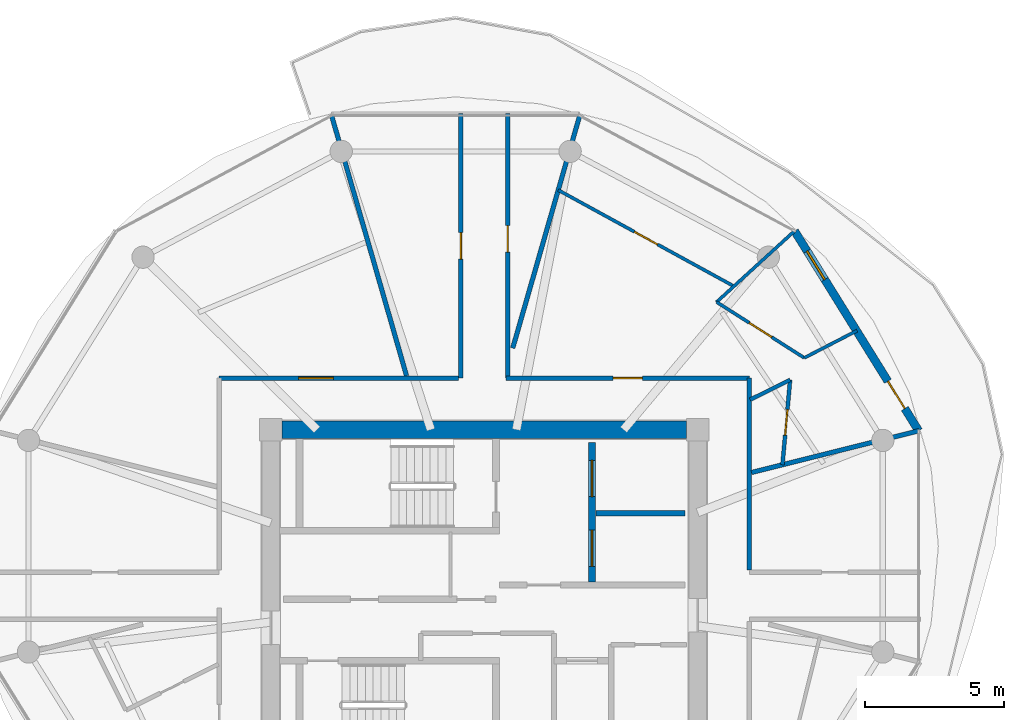
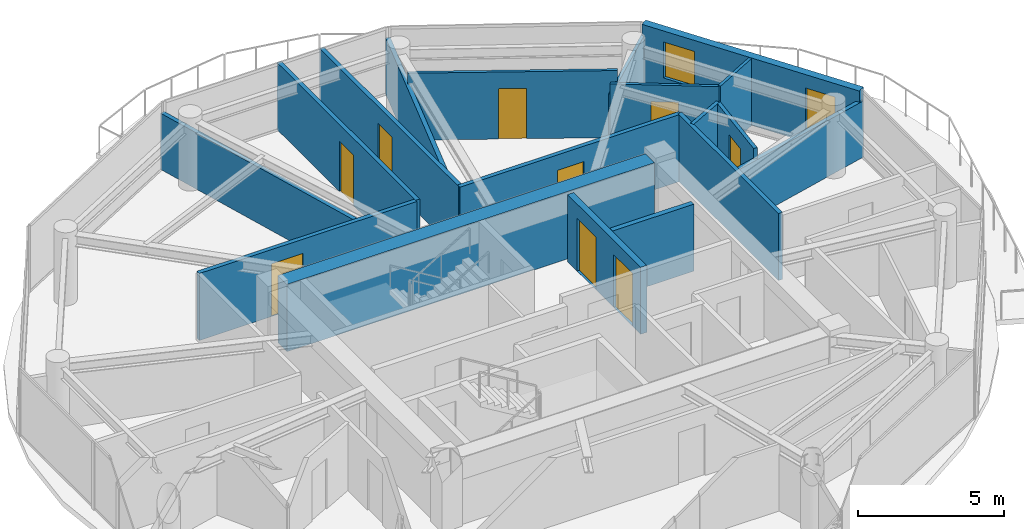
# One storey, part 16 of 23: 18 walls, 10 doors, 1 window, 11 openings.
"""IFC4 building model written with IfcOpenShell, lengths in metres."""

from ifc_helpers import new_model, si_unit, direction, frame, frame_2d, origin, place, context, subcontext, project, spatial, rectangle, extrude, source, transform, mapped, material, layer, layer_set, type_object, type_shapes, element, fill, save


model = new_model("IFC4")

# Units and contexts
model_context = context("Model", 3, precision=1e-05, world=origin(), true_north=direction((0.0, 1.0)))
body_context = subcontext(model_context, "Body", "Model", "MODEL_VIEW")
ifc_project = project(units=[si_unit("LENGTHUNIT", "METRE"), si_unit("AREAUNIT", "SQUARE_METRE"), si_unit("VOLUMEUNIT", "CUBIC_METRE"), si_unit("PLANEANGLEUNIT", "RADIAN"), si_unit("MASSUNIT", "GRAM", prefix="KILO")], contexts=[model_context])

# Site, building, storey
site_placement = place(None, origin())
site = spatial("IfcSite", under=ifc_project, at=site_placement, CompositionType="ELEMENT")
building_placement = place(site_placement, origin())
building = spatial("IfcBuilding", under=site, at=building_placement, Name="Norrkilde Senior Care Towers", CompositionType="ELEMENT")
storey_placement = place(building_placement, frame((0.0, 0.0, 173.949951171875)))
storey = spatial("IfcBuildingStorey", under=building, at=storey_placement, Name="L54", CompositionType="ELEMENT", Elevation=173.949951171875)

# Wall
ifc_material_1 = material(Name="Concrete C50/60", Category="concrete")
ifc_layer_1 = layer(ifc_material_1, 0.6201171875)
ifc_layer_set_1 = layer_set([ifc_layer_1], Name="Concrete C50/60")
wall_type_1 = type_object("IfcWallType", Name="Core Shear Wall Z3 620", PredefinedType="SHEAR", material=ifc_layer_set_1)
shared_shape_1 = source(origin(), body_context, "Body", "SweptSolid", [
    extrude(rectangle(XDim=14.5, YDim=0.6201171875, at=frame_2d((7.25, 0.0))), origin(), (0.0, 0.0, 1.0), 2.81005859375),
])
type_shapes(wall_type_1, [shared_shape_1])
wall_1_placement = place(storey_placement, frame((20.75, 5.949951171875, 0.0), z_axis=(0.0, 0.0, 1.0), x_axis=(1.0, 0.0, 0.0)))
element("IfcWall", 1, at=wall_1_placement, inside=storey, type_object=wall_type_1, Name="L54 Core E North Shear Wall", PredefinedType="SHEAR", context=body_context, shape_type="MappedRepresentation", body=[
    mapped(shared_shape_1, transform((0.0, 0.0, 0.0), x_axis=(1.0, 0.0, 0.0), y_axis=(0.0, 1.0, 0.0), z_axis=(0.0, 0.0, 1.0), scale=1.0)),
])

# Wall, openings, door, window
ifc_material_2 = material(Name="Precast concrete C45/55", Category="concrete")
ifc_layer_2 = layer(ifc_material_2, 0.2900390625)
ifc_layer_set_2 = layer_set([ifc_layer_2], Name="Precast concrete C45/55")
wall_type_2 = type_object("IfcWallType", Name="Winter Garden Facade Wall 290", PredefinedType="SOLIDWALL", material=ifc_layer_set_2)
shared_shape_2 = source(origin(), body_context, "Body", "SweptSolid", [
    extrude(rectangle(XDim=8.431396484375, YDim=0.2900390625, at=frame_2d((4.2158203125, 0.0))), origin(), (0.0, 0.0, 1.0), 2.81005859375),
])
type_shapes(wall_type_2, [shared_shape_2])
wall_2_placement = place(storey_placement, frame((39.123046875, 13.074951171875, 0.0), z_axis=(0.0, 0.0, 1.0), x_axis=(0.527377998418, -0.849630770855, 0.0)))
wall_2 = element("IfcWall", 2, at=wall_2_placement, inside=storey, type_object=wall_type_2, Name="L54 Drum E Balcony Access Wall 00", PredefinedType="SOLIDWALL", context=body_context, shape_type="MappedRepresentation", body=[
    mapped(shared_shape_2, transform((0.0, 0.0, 0.0), x_axis=(1.0, 0.0, 0.0), y_axis=(0.0, 1.0, 0.0), z_axis=(0.0, 0.0, 1.0), scale=1.0)),
])
opening_1_placement = place(wall_2_placement, frame((6.340087890625, 0.0, 0.0)))
opening_1 = element("IfcOpeningElement", 3, at=opening_1_placement, cuts=wall_2, Name="Opening D-09", PredefinedType="OPENING", context=body_context, shape_type="SweptSolid", body=[
    extrude(rectangle(XDim=1.14990234375, YDim=2.25, at=frame_2d((0.574951171875, 1.125))), frame((0.0, 0.155029296875, 0.0), z_axis=(0.0, -1.0, 0.0), x_axis=(1.0, 0.0, 0.0)), (0.0, 0.0, 1.0), 0.31005859375),
])
opening_2_placement = place(wall_2_placement, frame((0.85009765625, 0.0, 0.85009765625)))
opening_2 = element("IfcOpeningElement", 4, at=opening_2_placement, cuts=wall_2, Name="Opening WN-07", PredefinedType="OPENING", context=body_context, shape_type="SweptSolid", body=[
    extrude(rectangle(XDim=1.199951171875, YDim=1.5, at=frame_2d((0.60009765625, 0.75))), frame((0.0, 0.155029296875, 0.0), z_axis=(0.0, -1.0, 0.0), x_axis=(1.0, 0.0, 0.0)), (0.0, 0.0, 1.0), 0.31005859375),
])
ifc_material_3 = material(Name="Anodised Aluminium", Category="aluminium")
door_type_1 = type_object("IfcDoorType", Name="Terrace and Balcony Glazed Door 1150x2250", OperationType="NOTDEFINED", PredefinedType="DOOR", material=ifc_material_3)
shared_shape_3 = source(origin(), body_context, "Body", "SweptSolid", [
    extrude(rectangle(XDim=1.14990234375, YDim=2.25, at=frame_2d((0.574951171875, 1.125))), frame((0.0, 0.02490234375, 0.0), z_axis=(0.0, -1.0, 0.0), x_axis=(1.0, 0.0, 0.0)), (0.0, 0.0, 1.0), 0.050048828125),
])
type_shapes(door_type_1, [shared_shape_3])
door_1_placement = place(opening_1_placement, origin())
door_1 = element("IfcDoor", 5, at=door_1_placement, inside=storey, type_object=door_type_1, Name="L54 Drum E Outdoor Terrace Door 00", OperationType="SINGLE_SWING_LEFT", OverallHeight=2.25, OverallWidth=1.14990234375, PredefinedType="DOOR", context=body_context, shape_type="MappedRepresentation", body=[
    mapped(shared_shape_3, transform((0.0, 0.0, 0.0), x_axis=(1.0, 0.0, 0.0), y_axis=(0.0, 1.0, 0.0), z_axis=(0.0, 0.0, 1.0), scale=1.0)),
])
fill(opening_1, door_1)
ifc_material_4 = material(Name="Triple Low-E Insulated Glazing", Category="glass")
window_type = type_object("IfcWindowType", Name="Stairwell Smoke Vent Window 1200x1500", PartitioningType="SINGLE_PANEL", PredefinedType="WINDOW", material=ifc_material_4)
shared_shape_4 = source(origin(), body_context, "Body", "SweptSolid", [
    extrude(rectangle(XDim=1.199951171875, YDim=1.5, at=frame_2d((0.60009765625, 0.75))), frame((0.0, 0.030029296875, 0.0), z_axis=(0.0, -1.0, 0.0), x_axis=(1.0, 0.0, 0.0)), (0.0, 0.0, 1.0), 0.06005859375),
])
type_shapes(window_type, [shared_shape_4])
window_placement = place(opening_2_placement, origin())
window = element("IfcWindow", 6, at=window_placement, inside=storey, type_object=window_type, Name="L54 Drum E Winter Garden Window 00", OverallHeight=1.5, OverallWidth=1.199951171875, PartitioningType="SINGLE_PANEL", PredefinedType="WINDOW", context=body_context, shape_type="MappedRepresentation", body=[
    mapped(shared_shape_4, transform((0.0, 0.0, 0.0), x_axis=(1.0, 0.0, 0.0), y_axis=(0.0, 1.0, 0.0), z_axis=(0.0, 0.0, 1.0), scale=1.0)),
])
fill(opening_2, window)

# Wall
ifc_material_5 = material(Name="Gypsum Acoustic Board")
ifc_layer_3 = layer(ifc_material_5, 0.1650390625)
ifc_layer_set_3 = layer_set([ifc_layer_3], Name="Gypsum Acoustic Board")
wall_type_3 = type_object("IfcWallType", Name="Corridor Rated Partition 165", PredefinedType="PARTITIONING", material=ifc_layer_set_3)
shared_shape_5 = source(origin(), body_context, "Body", "SweptSolid", [
    extrude(rectangle(XDim=9.73046875, YDim=0.1650390625, at=frame_2d((4.865234375, 0.0))), origin(), (0.0, 0.0, 1.0), 2.344970703125),
])
wall_3_placement = place(storey_placement, frame((25.216552734375, 7.8798828125, 0.0), z_axis=(0.0, 0.0, 1.0), x_axis=(-0.27679492614, 0.960929013436, 0.0)))
element("IfcWall", 7, at=wall_3_placement, inside=storey, type_object=wall_type_3, Name="WL-INT-L54-E-DEM-03-0", PredefinedType="PARTITIONING", context=body_context, shape_type="MappedRepresentation", body=[
    mapped(shared_shape_5, transform((0.0, 0.0, 0.0), x_axis=(1.0, 0.0, 0.0), y_axis=(0.0, 1.0, 0.0), z_axis=(0.0, 0.0, 1.0), scale=1.0)),
])

# Wall, openings, doors
ifc_material_6 = material(Name="Concrete C45/55", Category="concrete")
ifc_layer_4 = layer(ifc_material_6, 0.239990234375)
ifc_layer_set_4 = layer_set([ifc_layer_4], Name="Concrete C45/55")
wall_type_4 = type_object("IfcWallType", Name="Lift and Plant Rated Enclosure Partition 240", PredefinedType="PARTITIONING", material=ifc_layer_set_4)
shared_shape_6 = source(origin(), body_context, "Body", "SweptSolid", [
    extrude(rectangle(XDim=5.0, YDim=0.239990234375, at=frame_2d((2.5, 0.0))), origin(), (0.0, 0.0, 1.0), 2.795166015625),
])
type_shapes(wall_type_4, [shared_shape_6])
wall_4_placement = place(storey_placement, frame((31.860107421875, 0.5, 0.0), z_axis=(0.0, 0.0, 1.0), x_axis=(0.0, 1.0, 0.0)))
wall_4 = element("IfcWall", 8, at=wall_4_placement, inside=storey, type_object=wall_type_4, Name="WL-INT-L54-E-FFLE", PredefinedType="PARTITIONING", context=body_context, shape_type="MappedRepresentation", body=[
    mapped(shared_shape_6, transform((0.0, 0.0, 0.0), x_axis=(1.0, 0.0, 0.0), y_axis=(0.0, 1.0, 0.0), z_axis=(0.0, 0.0, 1.0), scale=1.0)),
])
opening_3_placement = place(wall_4_placement, frame((3.050048828125, 0.0, 0.0)))
opening_3 = element("IfcOpeningElement", 9, at=opening_3_placement, cuts=wall_4, Name="Opening LD-02", PredefinedType="OPENING", context=body_context, shape_type="SweptSolid", body=[
    extrude(rectangle(XDim=1.300048828125, YDim=2.199951171875, at=frame_2d((0.64990234375, 1.10009765625))), frame((0.0, 0.1298828125, 0.0), z_axis=(0.0, -1.0, 0.0), x_axis=(1.0, 0.0, 0.0)), (0.0, 0.0, 1.0), 0.260009765625),
])
opening_4_placement = place(wall_4_placement, frame((0.550048828125, 0.0, 0.0)))
opening_4 = element("IfcOpeningElement", 10, at=opening_4_placement, cuts=wall_4, Name="Opening LD-02", PredefinedType="OPENING", context=body_context, shape_type="SweptSolid", body=[
    extrude(rectangle(XDim=1.300048828125, YDim=2.199951171875, at=frame_2d((0.64990234375, 1.10009765625))), frame((0.0, 0.1298828125, 0.0), z_axis=(0.0, -1.0, 0.0), x_axis=(1.0, 0.0, 0.0)), (0.0, 0.0, 1.0), 0.260009765625),
])
ifc_material_7 = material(Name="Stainless Steel", Category="steel")
door_type_2 = type_object("IfcDoorType", Name="Stretcher and FFL Landing Sliding Door 1300x2200", OperationType="NOTDEFINED", PredefinedType="DOOR", material=ifc_material_7)
shared_shape_7 = source(origin(), body_context, "Body", "SweptSolid", [
    extrude(rectangle(XDim=1.300048828125, YDim=2.199951171875, at=frame_2d((0.64990234375, 1.10009765625))), frame((0.0, 0.02490234375, 0.0), z_axis=(0.0, -1.0, 0.0), x_axis=(1.0, 0.0, 0.0)), (0.0, 0.0, 1.0), 0.050048828125),
])
type_shapes(door_type_2, [shared_shape_7])
door_2_placement = place(opening_3_placement, origin())
door_2 = element("IfcDoor", 11, at=door_2_placement, inside=storey, type_object=door_type_2, Name="L54 Firefighting Lift E1 Landing Door", OperationType="SLIDING_TO_LEFT", OverallHeight=2.199951171875, OverallWidth=1.300048828125, PredefinedType="DOOR", context=body_context, shape_type="MappedRepresentation", body=[
    mapped(shared_shape_7, transform((0.0, 0.0, 0.0), x_axis=(1.0, 0.0, 0.0), y_axis=(0.0, 1.0, 0.0), z_axis=(0.0, 0.0, 1.0), scale=1.0)),
])
fill(opening_3, door_2)
door_3_placement = place(opening_4_placement, origin())
door_3 = element("IfcDoor", 12, at=door_3_placement, inside=storey, type_object=door_type_2, Name="L54 Stretcher Lift E1 Landing Door", OperationType="SLIDING_TO_RIGHT", OverallHeight=2.199951171875, OverallWidth=1.300048828125, PredefinedType="DOOR", context=body_context, shape_type="MappedRepresentation", body=[
    mapped(shared_shape_7, transform((0.0, 0.0, 0.0), x_axis=(1.0, 0.0, 0.0), y_axis=(0.0, 1.0, 0.0), z_axis=(0.0, 0.0, 1.0), scale=1.0)),
])
fill(opening_4, door_3)

# Wall
ifc_layer_5 = layer(ifc_material_6, 0.199951171875)
ifc_layer_set_5 = layer_set([ifc_layer_5], Name="Concrete C45/55")
wall_type_5 = type_object("IfcWallType", Name="Shaft Division and Plant Partition 200", PredefinedType="PARTITIONING", material=ifc_layer_set_5)
shared_shape_8 = source(origin(), body_context, "Body", "SweptSolid", [
    extrude(rectangle(XDim=3.199951171875, YDim=0.199951171875, at=frame_2d((1.60009765625, 0.0))), origin(), (0.0, 0.0, 1.0), 2.795166015625),
])
type_shapes(wall_type_5, [shared_shape_8])
wall_5_placement = place(storey_placement, frame((32.0, 2.949951171875, 0.0), z_axis=(0.0, 0.0, 1.0), x_axis=(1.0, 0.0, 0.0)))
element("IfcWall", 13, at=wall_5_placement, inside=storey, type_object=wall_type_5, Name="WL-INT-L54-E-FFLDIV", PredefinedType="PARTITIONING", context=body_context, shape_type="MappedRepresentation", body=[
    mapped(shared_shape_8, transform((0.0, 0.0, 0.0), x_axis=(1.0, 0.0, 0.0), y_axis=(0.0, 1.0, 0.0), z_axis=(0.0, 0.0, 1.0), scale=1.0)),
])

# Wall, opening, door
shared_shape_9 = source(origin(), body_context, "Body", "SweptSolid", [
    extrude(rectangle(XDim=8.719482421875, YDim=0.1650390625, at=frame_2d((4.35986328125, 0.0))), origin(), (0.0, 0.0, 1.0), 2.795166015625),
])
wall_6_placement = place(storey_placement, frame((28.780517578125, 7.800048828125, 0.0), z_axis=(0.0, 0.0, 1.0), x_axis=(1.0, 0.0, 0.0)))
wall_6 = element("IfcWall", 14, at=wall_6_placement, inside=storey, type_object=wall_type_3, Name="WL-INT-L54-E-CRW-N-1", PredefinedType="PARTITIONING", context=body_context, shape_type="MappedRepresentation", body=[
    mapped(shared_shape_9, transform((0.0, 0.0, 0.0), x_axis=(1.0, 0.0, 0.0), y_axis=(0.0, 1.0, 0.0), z_axis=(0.0, 0.0, 1.0), scale=1.0)),
])
opening_5_placement = place(wall_6_placement, frame((3.834716796875, 0.0, 0.0)))
opening_5 = element("IfcOpeningElement", 15, at=opening_5_placement, cuts=wall_6, Name="Opening D-06", PredefinedType="OPENING", context=body_context, shape_type="SweptSolid", body=[
    extrude(rectangle(XDim=1.050048828125, YDim=2.14990234375, at=frame_2d((0.52490234375, 1.074951171875))), frame((0.0, 0.092529296875, 0.0), z_axis=(0.0, -1.0, 0.0), x_axis=(1.0, 0.0, 0.0)), (0.0, 0.0, 1.0), 0.18505859375),
])
ifc_material_8 = material(Name="Nordic Ash Timber", Category="wood")
door_type_3 = type_object("IfcDoorType", Name="Apartment Entrance Fire Door 1050x2150", OperationType="NOTDEFINED", PredefinedType="DOOR", material=ifc_material_8)
shared_shape_10 = source(origin(), body_context, "Body", "SweptSolid", [
    extrude(rectangle(XDim=1.050048828125, YDim=2.14990234375, at=frame_2d((0.52490234375, 1.074951171875))), frame((0.0, 0.02490234375, 0.0), z_axis=(0.0, -1.0, 0.0), x_axis=(1.0, 0.0, 0.0)), (0.0, 0.0, 1.0), 0.050048828125),
])
type_shapes(door_type_3, [shared_shape_10])
door_4_placement = place(opening_5_placement, frame((1.050048828125, 0.0, 0.0), z_axis=(0.0, 0.0, 1.0), x_axis=(-1.0, 0.0, 0.0)))
door_4 = element("IfcDoor", 16, at=door_4_placement, inside=storey, type_object=door_type_3, Name="Apartment 54A Entrance Door", OperationType="SINGLE_SWING_LEFT", OverallHeight=2.14990234375, OverallWidth=1.050048828125, PredefinedType="DOOR", context=body_context, shape_type="MappedRepresentation", body=[
    mapped(shared_shape_10, transform((0.0, 0.0, 0.0), x_axis=(1.0, 0.0, 0.0), y_axis=(0.0, 1.0, 0.0), z_axis=(0.0, 0.0, 1.0), scale=1.0)),
])
fill(opening_5, door_4)

ifc_layer_6 = layer(ifc_material_5, 0.114990234375)
ifc_layer_set_6 = layer_set([ifc_layer_6], Name="Gypsum Acoustic Board")
wall_type_6 = type_object("IfcWallType", Name="Internal Room Partition 115", PredefinedType="PARTITIONING", material=ifc_layer_set_6)
shared_shape_11 = source(origin(), body_context, "Body", "SweptSolid", [
    extrude(rectangle(XDim=7.166748046875, YDim=0.114990234375, at=frame_2d((3.58349609375, 0.0))), origin(), (0.0, 0.0, 1.0), 2.795166015625),
])
wall_7_placement = place(storey_placement, frame((36.93896484375, 11.097900390625, 0.0), z_axis=(0.0, 0.0, 1.0), x_axis=(-0.8771628907, 0.480192943699, 0.0)))
wall_7 = element("IfcWall", 17, at=wall_7_placement, inside=storey, type_object=wall_type_6, Name="WL-INT-L54-E-UBC-00-1", PredefinedType="PARTITIONING", context=body_context, shape_type="MappedRepresentation", body=[
    mapped(shared_shape_11, transform((0.0, 0.0, 0.0), x_axis=(1.0, 0.0, 0.0), y_axis=(0.0, 1.0, 0.0), z_axis=(0.0, 0.0, 1.0), scale=1.0)),
])
opening_6_placement = place(wall_7_placement, frame((3.1083984375, 0.0, 0.0)))
opening_6 = element("IfcOpeningElement", 18, at=opening_6_placement, cuts=wall_7, Name="Opening D-07", PredefinedType="OPENING", context=body_context, shape_type="SweptSolid", body=[
    extrude(rectangle(XDim=0.949951171875, YDim=2.10009765625, at=frame_2d((0.47509765625, 1.050048828125))), frame((0.0, 0.0673828125, 0.0), z_axis=(0.0, -1.0, 0.0), x_axis=(1.0, 0.0, 0.0)), (0.0, 0.0, 1.0), 0.135009765625),
])
door_type_4 = type_object("IfcDoorType", Name="Internal Suite Bedroom Door 950x2100", OperationType="NOTDEFINED", PredefinedType="DOOR", material=ifc_material_8)
shared_shape_12 = source(origin(), body_context, "Body", "SweptSolid", [
    extrude(rectangle(XDim=0.949951171875, YDim=2.10009765625, at=frame_2d((0.47509765625, 1.050048828125))), frame((0.0, 0.02490234375, 0.0), z_axis=(0.0, -1.0, 0.0), x_axis=(1.0, 0.0, 0.0)), (0.0, 0.0, 1.0), 0.050048828125),
])
type_shapes(door_type_4, [shared_shape_12])
door_5_placement = place(opening_6_placement, origin())
door_5 = element("IfcDoor", 19, at=door_5_placement, inside=storey, type_object=door_type_4, Name="Apartment 54A Bedroom 1 Door", OperationType="SINGLE_SWING_RIGHT", OverallHeight=2.10009765625, OverallWidth=0.949951171875, PredefinedType="DOOR", context=body_context, shape_type="MappedRepresentation", body=[
    mapped(shared_shape_12, transform((0.0, 0.0, 0.0), x_axis=(1.0, 0.0, 0.0), y_axis=(0.0, 1.0, 0.0), z_axis=(0.0, 0.0, 1.0), scale=1.0)),
])
fill(opening_6, door_5)

shared_shape_13 = source(origin(), body_context, "Body", "SweptSolid", [
    extrude(rectangle(XDim=8.580078125, YDim=0.1650390625, at=frame_2d((4.2900390625, 0.0))), origin(), (0.0, 0.0, 1.0), 2.795166015625),
])
wall_8_placement = place(storey_placement, frame((18.5, 7.800048828125, 0.0), z_axis=(0.0, 0.0, 1.0), x_axis=(1.0, 0.0, 0.0)))
wall_8 = element("IfcWall", 20, at=wall_8_placement, inside=storey, type_object=wall_type_3, Name="WL-INT-L54-E-CRW-N-0", PredefinedType="PARTITIONING", context=body_context, shape_type="MappedRepresentation", body=[
    mapped(shared_shape_13, transform((0.0, 0.0, 0.0), x_axis=(1.0, 0.0, 0.0), y_axis=(0.0, 1.0, 0.0), z_axis=(0.0, 0.0, 1.0), scale=1.0)),
])
opening_7_placement = place(wall_8_placement, frame((2.8427734375, 0.0, 0.0)))
opening_7 = element("IfcOpeningElement", 21, at=opening_7_placement, cuts=wall_8, Name="Opening D-05", PredefinedType="OPENING", context=body_context, shape_type="SweptSolid", body=[
    extrude(rectangle(XDim=1.25, YDim=2.199951171875, at=frame_2d((0.625, 1.10009765625))), frame((0.0, 0.092529296875, 0.0), z_axis=(0.0, -1.0, 0.0), x_axis=(1.0, 0.0, 0.0)), (0.0, 0.0, 1.0), 0.18505859375),
])
door_type_5 = type_object("IfcDoorType", Name="Care Bedroom Bariatric Door 1250x2200", OperationType="NOTDEFINED", PredefinedType="DOOR", material=ifc_material_8)
shared_shape_14 = source(origin(), body_context, "Body", "SweptSolid", [
    extrude(rectangle(XDim=1.25, YDim=2.199951171875, at=frame_2d((0.625, 1.10009765625))), frame((0.0, 0.02490234375, 0.0), z_axis=(0.0, -1.0, 0.0), x_axis=(1.0, 0.0, 0.0)), (0.0, 0.0, 1.0), 0.050048828125),
])
type_shapes(door_type_5, [shared_shape_14])
door_6_placement = place(opening_7_placement, frame((1.25, 0.0, 0.0), z_axis=(0.0, 0.0, 1.0), x_axis=(-1.0, 0.0, 0.0)))
door_6 = element("IfcDoor", 22, at=door_6_placement, inside=storey, type_object=door_type_5, Name="L54 Care Coordination Charting Office Door", OperationType="SINGLE_SWING_RIGHT", OverallHeight=2.199951171875, OverallWidth=1.25, PredefinedType="DOOR", context=body_context, shape_type="MappedRepresentation", body=[
    mapped(shared_shape_14, transform((0.0, 0.0, 0.0), x_axis=(1.0, 0.0, 0.0), y_axis=(0.0, 1.0, 0.0), z_axis=(0.0, 0.0, 1.0), scale=1.0)),
])
fill(opening_7, door_6)

# Walls
shared_shape_15 = source(origin(), body_context, "Body", "SweptSolid", [
    extrude(rectangle(XDim=6.880126953125, YDim=0.1650390625, at=frame_2d((3.43994140625, 0.0))), origin(), (0.0, 0.0, 1.0), 2.795166015625),
])
wall_9_placement = place(storey_placement, frame((37.5, 7.800048828125, 0.0), z_axis=(0.0, 0.0, 1.0), x_axis=(0.0, -1.0, 0.0)))
element("IfcWall", 23, at=wall_9_placement, inside=storey, type_object=wall_type_3, Name="WL-INT-L54-E-CRW-E-0", PredefinedType="PARTITIONING", context=body_context, shape_type="MappedRepresentation", body=[
    mapped(shared_shape_15, transform((0.0, 0.0, 0.0), x_axis=(1.0, 0.0, 0.0), y_axis=(0.0, 1.0, 0.0), z_axis=(0.0, 0.0, 1.0), scale=1.0)),
])
shared_shape_16 = source(origin(), body_context, "Body", "SweptSolid", [
    extrude(rectangle(XDim=8.695068359375, YDim=0.1650390625, at=frame_2d((4.34765625, 0.0))), origin(), (0.0, 0.0, 1.0), 2.344970703125),
])
wall_10_placement = place(storey_placement, frame((29.02001953125, 8.875, 0.0), z_axis=(0.0, 0.0, 1.0), x_axis=(0.276797231892, 0.960928349263, 0.0)))
element("IfcWall", 24, at=wall_10_placement, inside=storey, type_object=wall_type_3, Name="WL-INT-L54-E-DEM-02-0", PredefinedType="PARTITIONING", context=body_context, shape_type="MappedRepresentation", body=[
    mapped(shared_shape_16, transform((0.0, 0.0, 0.0), x_axis=(1.0, 0.0, 0.0), y_axis=(0.0, 1.0, 0.0), z_axis=(0.0, 0.0, 1.0), scale=1.0)),
])
shared_shape_17 = source(origin(), body_context, "Body", "SweptSolid", [
    extrude(rectangle(XDim=6.192626953125, YDim=0.1650390625, at=frame_2d((3.09619140625, 0.0))), origin(), (0.0, 0.0, 1.0), 2.344970703125),
])
wall_11_placement = place(storey_placement, frame((37.580078125, 4.418701171875, 0.0), z_axis=(0.0, 0.0, 1.0), x_axis=(0.970309243466, 0.241867674657, 0.0)))
element("IfcWall", 25, at=wall_11_placement, inside=storey, type_object=wall_type_3, Name="WL-INT-L54-E-DEM-00-0", PredefinedType="PARTITIONING", context=body_context, shape_type="MappedRepresentation", body=[
    mapped(shared_shape_17, transform((0.0, 0.0, 0.0), x_axis=(1.0, 0.0, 0.0), y_axis=(0.0, 1.0, 0.0), z_axis=(0.0, 0.0, 1.0), scale=1.0)),
])

# Wall, opening, door
shared_shape_18 = source(origin(), body_context, "Body", "SweptSolid", [
    extrude(rectangle(XDim=9.480224609375, YDim=0.1650390625, at=frame_2d((4.740234375, 0.0))), origin(), (0.0, 0.0, 1.0), 2.795166015625),
])
type_shapes(wall_type_3, [shared_shape_5, shared_shape_9, shared_shape_13, shared_shape_15, shared_shape_16, shared_shape_17, shared_shape_18])
wall_12_placement = place(storey_placement, frame((27.159912109375, 7.800048828125, 0.0), z_axis=(0.0, 0.0, 1.0), x_axis=(0.0, 1.0, 0.0)))
wall_12 = element("IfcWall", 26, at=wall_12_placement, inside=storey, type_object=wall_type_3, Name="WL-INT-L54-E-SPK-N1-0", PredefinedType="PARTITIONING", context=body_context, shape_type="MappedRepresentation", body=[
    mapped(shared_shape_18, transform((0.0, 0.0, 0.0), x_axis=(1.0, 0.0, 0.0), y_axis=(0.0, 1.0, 0.0), z_axis=(0.0, 0.0, 1.0), scale=1.0)),
])
opening_8_placement = place(wall_12_placement, frame((4.26513671875, 0.0, 0.0)))
opening_8 = element("IfcOpeningElement", 27, at=opening_8_placement, cuts=wall_12, Name="Opening D-07", PredefinedType="OPENING", context=body_context, shape_type="SweptSolid", body=[
    extrude(rectangle(XDim=0.949951171875, YDim=2.10009765625, at=frame_2d((0.47509765625, 1.050048828125))), frame((0.0, 0.092529296875, 0.0), z_axis=(0.0, -1.0, 0.0), x_axis=(1.0, 0.0, 0.0)), (0.0, 0.0, 1.0), 0.18505859375),
])
door_7_placement = place(opening_8_placement, frame((0.949951171875, 0.0, 0.0), z_axis=(0.0, 0.0, 1.0), x_axis=(-1.0, 0.0, 0.0)))
door_7 = element("IfcDoor", 28, at=door_7_placement, inside=storey, type_object=door_type_4, Name="L54 Sun Reading Lounge 3 Door", OperationType="SINGLE_SWING_RIGHT", OverallHeight=2.10009765625, OverallWidth=0.949951171875, PredefinedType="DOOR", context=body_context, shape_type="MappedRepresentation", body=[
    mapped(shared_shape_12, transform((0.0, 0.0, 0.0), x_axis=(1.0, 0.0, 0.0), y_axis=(0.0, 1.0, 0.0), z_axis=(0.0, 0.0, 1.0), scale=1.0)),
])
fill(opening_8, door_7)

wall_13_placement = place(storey_placement, frame((28.840087890625, 17.2802734375, 0.0), z_axis=(0.0, 0.0, 1.0), x_axis=(0.0, -1.0, 0.0)))
wall_13 = element("IfcWall", 29, at=wall_13_placement, inside=storey, type_object=wall_type_3, Name="WL-INT-L54-E-SPK-N2-0", PredefinedType="PARTITIONING", context=body_context, shape_type="MappedRepresentation", body=[
    mapped(shared_shape_18, transform((0.0, 0.0, 0.0), x_axis=(1.0, 0.0, 0.0), y_axis=(0.0, 1.0, 0.0), z_axis=(0.0, 0.0, 1.0), scale=1.0)),
])
opening_9_placement = place(wall_13_placement, frame((4.009765625, 0.0, 0.0)))
opening_9 = element("IfcOpeningElement", 30, at=opening_9_placement, cuts=wall_13, Name="Opening D-07", PredefinedType="OPENING", context=body_context, shape_type="SweptSolid", body=[
    extrude(rectangle(XDim=0.949951171875, YDim=2.10009765625, at=frame_2d((0.47509765625, 1.050048828125))), frame((0.0, 0.092529296875, 0.0), z_axis=(0.0, -1.0, 0.0), x_axis=(1.0, 0.0, 0.0)), (0.0, 0.0, 1.0), 0.18505859375),
])
door_8_placement = place(opening_9_placement, frame((0.949951171875, 0.0, 0.0), z_axis=(0.0, 0.0, 1.0), x_axis=(-1.0, 0.0, 0.0)))
door_8 = element("IfcDoor", 31, at=door_8_placement, inside=storey, type_object=door_type_4, Name="L54 Sun Reading Lounge 4 Door", OperationType="SINGLE_SWING_LEFT", OverallHeight=2.10009765625, OverallWidth=0.949951171875, PredefinedType="DOOR", context=body_context, shape_type="MappedRepresentation", body=[
    mapped(shared_shape_12, transform((0.0, 0.0, 0.0), x_axis=(1.0, 0.0, 0.0), y_axis=(0.0, 1.0, 0.0), z_axis=(0.0, 0.0, 1.0), scale=1.0)),
])
fill(opening_9, door_8)

# Wall
ifc_layer_7 = layer(ifc_material_5, 0.139892578125)
ifc_layer_set_7 = layer_set([ifc_layer_7], Name="Gypsum Acoustic Board")
wall_type_7 = type_object("IfcWallType", Name="En-suite Wet Room Wall 140", PredefinedType="PARTITIONING", material=ifc_layer_set_7)
shared_shape_19 = source(origin(), body_context, "Body", "SweptSolid", [
    extrude(rectangle(XDim=1.601318359375, YDim=0.139892578125, at=frame_2d((0.80078125, 0.0))), origin(), (0.0, 0.0, 1.0), 2.795166015625),
])
wall_14_placement = place(storey_placement, frame((37.530029296875, 7.026123046875, 0.0), z_axis=(0.0, 0.0, 1.0), x_axis=(0.895279369592, 0.445505163138, 0.0)))
element("IfcWall", 32, at=wall_14_placement, inside=storey, type_object=wall_type_7, Name="WL-INT-L54-E-UBTS-00", PredefinedType="PARTITIONING", context=body_context, shape_type="MappedRepresentation", body=[
    mapped(shared_shape_19, transform((0.0, 0.0, 0.0), x_axis=(1.0, 0.0, 0.0), y_axis=(0.0, 1.0, 0.0), z_axis=(0.0, 0.0, 1.0), scale=1.0)),
])

# Wall, opening, door
shared_shape_20 = source(origin(), body_context, "Body", "SweptSolid", [
    extrude(rectangle(XDim=3.057861328125, YDim=0.139892578125, at=frame_2d((1.52880859375, 0.0))), origin(), (0.0, 0.0, 1.0), 2.795166015625),
])
type_shapes(wall_type_7, [shared_shape_19, shared_shape_20])
wall_15_placement = place(storey_placement, frame((38.963623046875, 7.739501953125, 0.0), z_axis=(0.0, 0.0, 1.0), x_axis=(-0.090060616512, -0.99593628579, 0.0)))
wall_15 = element("IfcWall", 33, at=wall_15_placement, inside=storey, type_object=wall_type_7, Name="WL-INT-L54-E-UBTF-00", PredefinedType="PARTITIONING", context=body_context, shape_type="MappedRepresentation", body=[
    mapped(shared_shape_20, transform((0.0, 0.0, 0.0), x_axis=(1.0, 0.0, 0.0), y_axis=(0.0, 1.0, 0.0), z_axis=(0.0, 0.0, 1.0), scale=1.0)),
])
opening_10_placement = place(wall_15_placement, frame((1.06884765625, 0.0, 0.0)))
opening_10 = element("IfcOpeningElement", 34, at=opening_10_placement, cuts=wall_15, Name="Opening D-08", PredefinedType="OPENING", context=body_context, shape_type="SweptSolid", body=[
    extrude(rectangle(XDim=0.919921875, YDim=2.10009765625, at=frame_2d((0.4599609375, 1.050048828125))), frame((0.0, 0.079833984375, 0.0), z_axis=(0.0, -1.0, 0.0), x_axis=(1.0, 0.0, 0.0)), (0.0, 0.0, 1.0), 0.159912109375),
])
door_type_6 = type_object("IfcDoorType", Name="Accessible Wet Room Door 920x2100", OperationType="NOTDEFINED", PredefinedType="DOOR", material=ifc_material_8)
shared_shape_21 = source(origin(), body_context, "Body", "SweptSolid", [
    extrude(rectangle(XDim=0.919921875, YDim=2.10009765625, at=frame_2d((0.4599609375, 1.050048828125))), frame((0.0, 0.02490234375, 0.0), z_axis=(0.0, -1.0, 0.0), x_axis=(1.0, 0.0, 0.0)), (0.0, 0.0, 1.0), 0.050048828125),
])
type_shapes(door_type_6, [shared_shape_21])
door_9_placement = place(opening_10_placement, origin())
door_9 = element("IfcDoor", 35, at=door_9_placement, inside=storey, type_object=door_type_6, Name="Apartment 54A Bathroom Door", OperationType="SINGLE_SWING_RIGHT", OverallHeight=2.10009765625, OverallWidth=0.919921875, PredefinedType="DOOR", context=body_context, shape_type="MappedRepresentation", body=[
    mapped(shared_shape_21, transform((0.0, 0.0, 0.0), x_axis=(1.0, 0.0, 0.0), y_axis=(0.0, 1.0, 0.0), z_axis=(0.0, 0.0, 1.0), scale=1.0)),
])
fill(opening_10, door_9)

# Wall
shared_shape_22 = source(origin(), body_context, "Body", "SweptSolid", [
    extrude(rectangle(XDim=2.1298828125, YDim=0.114990234375, at=frame_2d((1.06494140625, 0.0))), origin(), (0.0, 0.0, 1.0), 2.795166015625),
])
wall_16_placement = place(storey_placement, frame((39.470703125, 8.525390625, 0.0), z_axis=(0.0, 0.0, 1.0), x_axis=(0.888504584778, 0.458867740016, 0.0)))
element("IfcWall", 36, at=wall_16_placement, inside=storey, type_object=wall_type_6, Name="WL-INT-L54-E-UKTS-00", PredefinedType="PARTITIONING", context=body_context, shape_type="MappedRepresentation", body=[
    mapped(shared_shape_22, transform((0.0, 0.0, 0.0), x_axis=(1.0, 0.0, 0.0), y_axis=(0.0, 1.0, 0.0), z_axis=(0.0, 0.0, 1.0), scale=1.0)),
])

# Wall, opening, door
shared_shape_23 = source(origin(), body_context, "Body", "SweptSolid", [
    extrude(rectangle(XDim=3.725341796875, YDim=0.114990234375, at=frame_2d((1.86279296875, 0.0))), origin(), (0.0, 0.0, 1.0), 2.795166015625),
])
wall_17_placement = place(storey_placement, frame((39.470703125, 8.525390625, 0.0), z_axis=(0.0, 0.0, 1.0), x_axis=(-0.843453635564, 0.537201977523, 0.0)))
wall_17 = element("IfcWall", 37, at=wall_17_placement, inside=storey, type_object=wall_type_6, Name="WL-INT-L54-E-UKTF-00", PredefinedType="PARTITIONING", context=body_context, shape_type="MappedRepresentation", body=[
    mapped(shared_shape_23, transform((0.0, 0.0, 0.0), x_axis=(1.0, 0.0, 0.0), y_axis=(0.0, 1.0, 0.0), z_axis=(0.0, 0.0, 1.0), scale=1.0)),
])
opening_11_placement = place(wall_17_placement, frame((1.3876953125, 0.0, 0.0)))
opening_11 = element("IfcOpeningElement", 38, at=opening_11_placement, cuts=wall_17, Name="Opening D-07", PredefinedType="OPENING", context=body_context, shape_type="SweptSolid", body=[
    extrude(rectangle(XDim=0.949951171875, YDim=2.10009765625, at=frame_2d((0.47509765625, 1.050048828125))), frame((0.0, 0.0673828125, 0.0), z_axis=(0.0, -1.0, 0.0), x_axis=(1.0, 0.0, 0.0)), (0.0, 0.0, 1.0), 0.135009765625),
])
door_10_placement = place(opening_11_placement, frame((0.949951171875, 0.0, 0.0), z_axis=(0.0, 0.0, 1.0), x_axis=(-1.0, 0.0, 0.0)))
door_10 = element("IfcDoor", 39, at=door_10_placement, inside=storey, type_object=door_type_4, Name="Apartment 54A Kitchen Door", OperationType="SINGLE_SWING_LEFT", OverallHeight=2.10009765625, OverallWidth=0.949951171875, PredefinedType="DOOR", context=body_context, shape_type="MappedRepresentation", body=[
    mapped(shared_shape_12, transform((0.0, 0.0, 0.0), x_axis=(1.0, 0.0, 0.0), y_axis=(0.0, 1.0, 0.0), z_axis=(0.0, 0.0, 1.0), scale=1.0)),
])
fill(opening_11, door_10)

# Wall
shared_shape_24 = source(origin(), body_context, "Body", "SweptSolid", [
    extrude(rectangle(XDim=3.814453125, YDim=0.114990234375, at=frame_2d((1.9072265625, 0.0))), origin(), (0.0, 0.0, 1.0), 2.344970703125),
])
type_shapes(wall_type_6, [shared_shape_11, shared_shape_22, shared_shape_23, shared_shape_24])
wall_18_placement = place(storey_placement, frame((36.3193359375, 10.51806640625, 0.0), z_axis=(0.0, 0.0, 1.0), x_axis=(0.73871962024, 0.674012850524, 0.0)))
element("IfcWall", 40, at=wall_18_placement, inside=storey, type_object=wall_type_6, Name="WL-INT-L54-E-UBR-00-1", PredefinedType="PARTITIONING", context=body_context, shape_type="MappedRepresentation", body=[
    mapped(shared_shape_24, transform((0.0, 0.0, 0.0), x_axis=(1.0, 0.0, 0.0), y_axis=(0.0, 1.0, 0.0), z_axis=(0.0, 0.0, 1.0), scale=1.0)),
])

save(model, "model.ifc")
